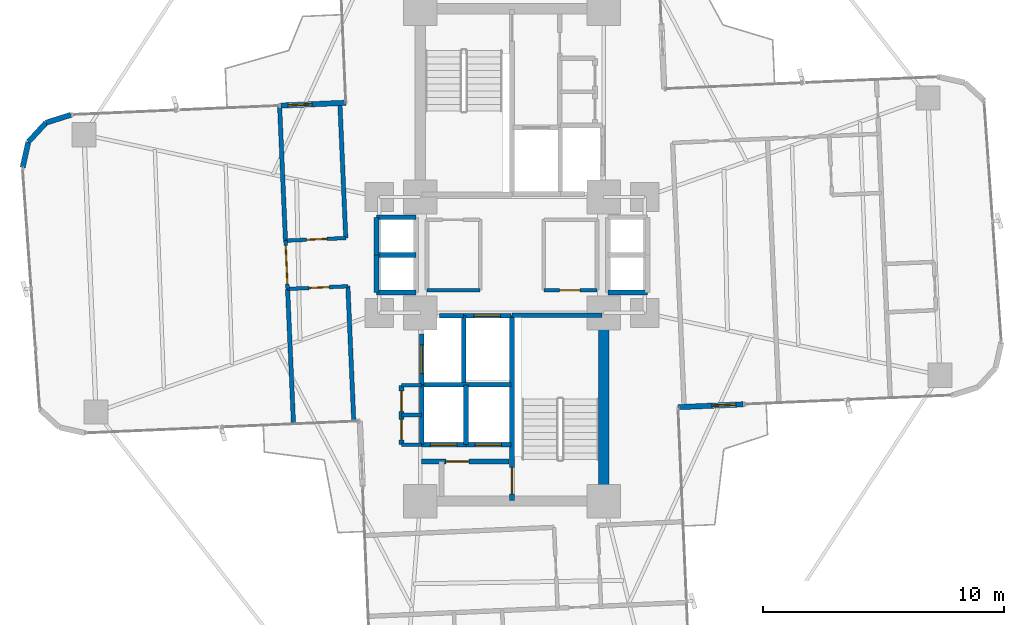
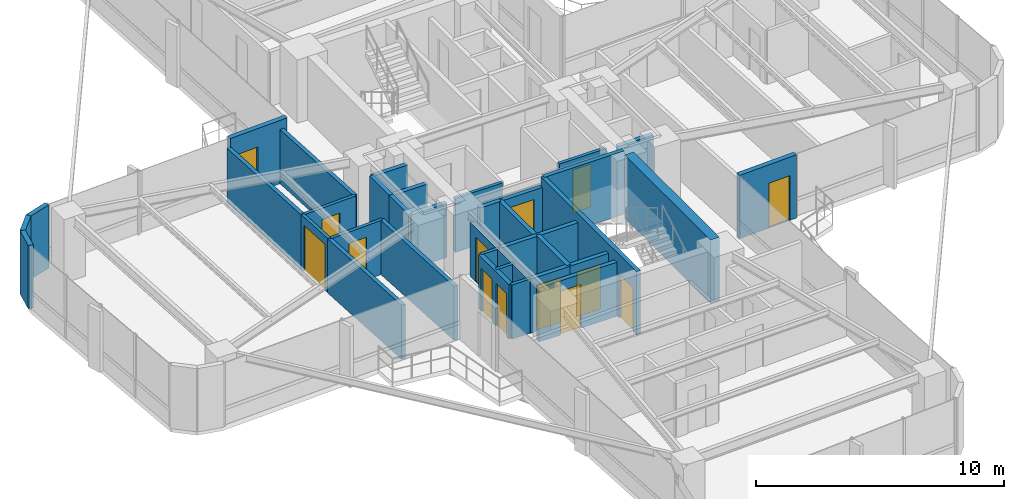
# One storey, part 23 of 26: 37 walls, 14 doors, 14 openings.
"""IFC4 building model written with IfcOpenShell, lengths in metres."""

from ifc_helpers import new_model, si_unit, direction, frame, frame_2d, origin, origin_2d, place, context, subcontext, project, spatial, rectangle, extrude, source, transform, mapped, material, layer, layer_set, type_object, element, fill, save


model = new_model("IFC4")

# Units and contexts
model_context = context("Model", 3, precision=1e-05, world=origin(), true_north=direction((0.0, 1.0)))
body_context = subcontext(model_context, "Body", "Model", "MODEL_VIEW")
ifc_project = project(units=[si_unit("LENGTHUNIT", "METRE"), si_unit("AREAUNIT", "SQUARE_METRE"), si_unit("VOLUMEUNIT", "CUBIC_METRE"), si_unit("PLANEANGLEUNIT", "RADIAN"), si_unit("MASSUNIT", "GRAM", prefix="KILO")], contexts=[model_context])

# Site, building, storey
site_placement = place(None, origin())
site = spatial("IfcSite", under=ifc_project, at=site_placement, CompositionType="ELEMENT")
building_placement = place(site_placement, origin())
building = spatial("IfcBuilding", under=site, at=building_placement, Name="Sahyath Konkavel Grand Hotel", CompositionType="ELEMENT")
storey_placement = place(building_placement, frame((0.0, 0.0, 118.14990234375)))
storey = spatial("IfcBuildingStorey", under=building, at=storey_placement, Name="L32", CompositionType="ELEMENT", Elevation=118.14990234375)

# Wall
ifc_material_1 = material(Name="Concrete C50/60", Category="concrete")
ifc_layer_1 = layer(ifc_material_1, 0.419921875)
ifc_layer_set_1 = layer_set([ifc_layer_1], Name="Concrete C50/60")
wall_type_1 = type_object("IfcWallType", Name="CWALL-420", PredefinedType="SHEAR", material=ifc_layer_set_1)
wall_1_placement = place(storey_placement, frame((3.800048828125, -9.75, 0.0), z_axis=(0.0, 0.0, 1.0), x_axis=(0.0, 1.0, 0.0)))
element("IfcWall", 1, at=wall_1_placement, inside=storey, type_object=wall_type_1, Name="L32 South Core Shear Wall E", PredefinedType="SHEAR", context=body_context, shape_type="SweptSolid", body=[
    extrude(rectangle(XDim=6.89990234375, YDim=0.419921875, at=frame_2d((3.449951171875, 0.0))), origin(), (0.0, 0.0, 1.0), 3.110107421875),
])

# Wall, opening, door
ifc_material_2 = material(Name="Warm Buff Sandstone Insulated Concrete C40/50", Category="masonry")
ifc_layer_2 = layer(ifc_material_2, 0.219970703125)
ifc_layer_set_2 = layer_set([ifc_layer_2], Name="Warm Buff Sandstone Insulated Concrete C40/50")
wall_type_2 = type_object("IfcWallType", Name="WLL-BALC-THRESH", PredefinedType="STANDARD", material=ifc_layer_set_2)
wall_2_placement = place(storey_placement, frame((6.881591796875, -6.305908203125, 0.0), z_axis=(0.0, 0.0, 1.0), x_axis=(0.999045894436, 0.043672655174, 0.0)))
wall_2 = element("IfcWall", 2, at=wall_2_placement, inside=storey, type_object=wall_type_2, Name="L32 Winter-Garden Threshold Wall 0", PredefinedType="STANDARD", context=body_context, shape_type="SweptSolid", body=[
    extrude(rectangle(XDim=2.7001953125, YDim=0.219970703125, at=frame_2d((1.35009765625, 0.0))), origin(), (0.0, 0.0, 1.0), 3.110107421875),
])
opening_1_placement = place(wall_2_placement, frame((1.39990234375, 0.0, 0.0)))
opening_1 = element("IfcOpeningElement", 3, at=opening_1_placement, cuts=wall_2, Name="Opening D-TR1", PredefinedType="OPENING", context=body_context, shape_type="SweptSolid", body=[
    extrude(rectangle(XDim=1.0, YDim=2.199951171875, at=frame_2d((0.5, 1.10009765625))), frame((0.0, 0.1201171875, 0.0), z_axis=(0.0, -1.0, 0.0), x_axis=(1.0, 0.0, 0.0)), (0.0, 0.0, 1.0), 0.239990234375),
])
ifc_material_3 = material(Name="Anodised Bronze Aluminium & Low-E Glazing", Category="aluminium")
door_type_1 = type_object("IfcDoorType", Name="DR-TERRACE-1000", OperationType="NOTDEFINED", PredefinedType="DOOR", material=ifc_material_3)
shared_shape_1 = source(origin(), body_context, "Body", "SweptSolid", [
    extrude(rectangle(XDim=1.0, YDim=0.050048828125, at=origin_2d()), origin(), (0.0, 0.0, 1.0), 2.199951171875),
])
door_1_placement = place(opening_1_placement, frame((0.5, 0.0, 0.0)))
door_1 = element("IfcDoor", 4, at=door_1_placement, inside=storey, type_object=door_type_1, Name="L32 Winter-Garden Terrace Door 0", OperationType="SINGLE_SWING_LEFT", OverallHeight=2.199951171875, OverallWidth=1.0, PredefinedType="DOOR", context=body_context, shape_type="MappedRepresentation", body=[
    mapped(shared_shape_1, transform((0.0, 0.0, 0.0), scale=1.0)),
])
fill(opening_1, door_1)

wall_3_placement = place(storey_placement, frame((-6.881591796875, 6.305908203125, 0.0), z_axis=(0.0, 0.0, 1.0), x_axis=(-0.999045894436, -0.043672655174, 0.0)))
wall_3 = element("IfcWall", 5, at=wall_3_placement, inside=storey, type_object=wall_type_2, Name="L32 Winter-Garden Threshold Wall 16", PredefinedType="STANDARD", context=body_context, shape_type="SweptSolid", body=[
    extrude(rectangle(XDim=2.7001953125, YDim=0.219970703125, at=frame_2d((1.35009765625, 0.0))), origin(), (0.0, 0.0, 1.0), 3.110107421875),
])
opening_2_placement = place(wall_3_placement, frame((1.39990234375, 0.0, 0.0)))
opening_2 = element("IfcOpeningElement", 6, at=opening_2_placement, cuts=wall_3, Name="Opening D-TR1", PredefinedType="OPENING", context=body_context, shape_type="SweptSolid", body=[
    extrude(rectangle(XDim=1.0, YDim=2.199951171875, at=frame_2d((0.5, 1.10009765625))), frame((0.0, 0.1201171875, 0.0), z_axis=(0.0, -1.0, 0.0), x_axis=(1.0, 0.0, 0.0)), (0.0, 0.0, 1.0), 0.239990234375),
])
door_2_placement = place(opening_2_placement, frame((0.5, 0.0, 0.0)))
door_2 = element("IfcDoor", 7, at=door_2_placement, inside=storey, type_object=door_type_1, Name="L32 Winter-Garden Terrace Door 16", OperationType="SINGLE_SWING_LEFT", OverallHeight=2.199951171875, OverallWidth=1.0, PredefinedType="DOOR", context=body_context, shape_type="MappedRepresentation", body=[
    mapped(shared_shape_1, transform((0.0, 0.0, 0.0), scale=1.0)),
])
fill(opening_2, door_2)

# Walls
for number, where, z_axis, x_axis, name in (
    (8, (-18.270751953125, 5.80859375, 0.0), (0.0, 0.0, 1.0), (-0.953721713582, -0.30069069331, 0.0), "L32 Rounded Corner Sandstone Pier 17"),
    (9, (-19.3076171875, 5.481689453125, 0.0), (0.0, 0.0, 1.0), (-0.675551721847, -0.737312600672, 0.0), "L32 Rounded Corner Sandstone Pier 18"),
):
    element("IfcWall", number, at=place(storey_placement, frame(where, z_axis=z_axis, x_axis=x_axis)), inside=storey, type_object=wall_type_2, Name=name, PredefinedType="STANDARD", context=body_context, shape_type="SweptSolid", body=[
        extrude(rectangle(XDim=1.087158203125, YDim=0.219970703125, at=frame_2d((0.54345703125, 0.0))), origin(), (0.0, 0.0, 1.0), 3.110107421875),
    ])
wall_4_placement = place(storey_placement, frame((-20.0419921875, 4.68017578125, 0.0), z_axis=(0.0, 0.0, 1.0), x_axis=(-0.216288323511, -0.976329535102, 0.0)))
element("IfcWall", 10, at=wall_4_placement, inside=storey, type_object=wall_type_2, Name="L32 Rounded Corner Sandstone Pier 19", PredefinedType="STANDARD", context=body_context, shape_type="SweptSolid", body=[
    extrude(rectangle(XDim=1.0869140625, YDim=0.219970703125, at=frame_2d((0.54345703125, 0.0))), origin(), (0.0, 0.0, 1.0), 3.110107421875),
])

# Wall, opening, door
ifc_material_4 = material(Name="Concrete C40/50", Category="concrete")
ifc_layer_3 = layer(ifc_material_4, 0.199951171875)
ifc_layer_set_3 = layer_set([ifc_layer_3], Name="Concrete C40/50")
wall_type_3 = type_object("IfcWallType", Name="WLL-CORE-200", PredefinedType="SOLIDWALL", material=ifc_layer_set_3)
wall_5_placement = place(storey_placement, frame((0.0, -10.179931640625, 0.0), z_axis=(0.0, 0.0, 1.0), x_axis=(0.0, 1.0, 0.0)))
wall_5 = element("IfcWall", 11, at=wall_5_placement, inside=storey, type_object=wall_type_3, Name="L32 Stair ST-2 Shaft Wall W", PredefinedType="SOLIDWALL", context=body_context, shape_type="SweptSolid", body=[
    extrude(rectangle(XDim=7.679931640625, YDim=0.199951171875, at=frame_2d((3.83984375, 0.0))), origin(), (0.0, 0.0, 1.0), 3.110107421875),
])
opening_3_placement = place(wall_5_placement, frame((0.280029296875, 0.0, 0.0)))
opening_3 = element("IfcOpeningElement", 12, at=opening_3_placement, cuts=wall_5, Name="Opening D-F12B", PredefinedType="OPENING", context=body_context, shape_type="SweptSolid", body=[
    extrude(rectangle(XDim=1.10009765625, YDim=2.14990234375, at=frame_2d((0.550048828125, 1.074951171875))), frame((0.0, 0.10986328125, 0.0), z_axis=(0.0, -1.0, 0.0), x_axis=(1.0, 0.0, 0.0)), (0.0, 0.0, 1.0), 0.219970703125),
])
ifc_material_5 = material(Name="Steel E350 Smokeproof Fire Door", Category="steel")
door_type_2 = type_object("IfcDoorType", Name="DR-FD120-1100", OperationType="NOTDEFINED", PredefinedType="DOOR", material=ifc_material_5)
shared_shape_2 = source(origin(), body_context, "Body", "SweptSolid", [
    extrude(rectangle(XDim=1.10009765625, YDim=0.050048828125, at=origin_2d()), origin(), (0.0, 0.0, 1.0), 2.14990234375),
])
door_3_placement = place(opening_3_placement, frame((0.550048828125, 0.0, 0.0)))
door_3 = element("IfcDoor", 13, at=door_3_placement, inside=storey, type_object=door_type_2, Name="L32 Stair ST-2 Fire Door", OperationType="SINGLE_SWING_LEFT", OverallHeight=2.14990234375, OverallWidth=1.10009765625, PredefinedType="DOOR", context=body_context, shape_type="MappedRepresentation", body=[
    mapped(shared_shape_2, transform((0.0, 0.0, 0.0), scale=1.0)),
])
fill(opening_3, door_3)

# Walls
wall_6_placement = place(storey_placement, frame((0.0, -2.5, 0.0), z_axis=(0.0, 0.0, 1.0), x_axis=(1.0, 0.0, 0.0)))
element("IfcWall", 14, at=wall_6_placement, inside=storey, type_object=wall_type_3, Name="L32 Stair ST-2 Shaft Wall N", PredefinedType="SOLIDWALL", context=body_context, shape_type="SweptSolid", body=[
    extrude(rectangle(XDim=3.719970703125, YDim=0.199951171875, at=frame_2d((1.85986328125, 0.0))), origin(), (0.0, 0.0, 1.0), 3.110107421875),
])
wall_7_placement = place(storey_placement, frame((-2.0, -5.280029296875, 0.0), z_axis=(0.0, 0.0, 1.0), x_axis=(0.0, 1.0, 0.0)))
element("IfcWall", 15, at=wall_7_placement, inside=storey, type_object=wall_type_3, Name="L32 Partition SH-FFL2-W", PredefinedType="SOLIDWALL", context=body_context, shape_type="SweptSolid", body=[
    extrude(rectangle(XDim=2.780029296875, YDim=0.199951171875, at=frame_2d((1.39013671875, 0.0))), origin(), (0.0, 0.0, 1.0), 2.66015625),
])

# Wall, opening, door
wall_8_placement = place(storey_placement, frame((-2.0, -2.52001953125, 0.0), z_axis=(0.0, 0.0, 1.0), x_axis=(1.0, 0.0, 0.0)))
wall_8 = element("IfcWall", 16, at=wall_8_placement, inside=storey, type_object=wall_type_3, Name="L32 Partition SH-FFL2-N", PredefinedType="SOLIDWALL", context=body_context, shape_type="SweptSolid", body=[
    extrude(rectangle(XDim=1.949951171875, YDim=0.199951171875, at=frame_2d((0.97509765625, 0.0))), origin(), (0.0, 0.0, 1.0), 2.66015625),
])
opening_4_placement = place(wall_8_placement, frame((0.419921875, 0.0, 0.0)))
opening_4 = element("IfcOpeningElement", 17, at=opening_4_placement, cuts=wall_8, Name="Opening LD-11", PredefinedType="OPENING", context=body_context, shape_type="SweptSolid", body=[
    extrude(rectangle(XDim=1.10009765625, YDim=2.199951171875, at=frame_2d((0.550048828125, 1.10009765625))), frame((0.0, 0.10986328125, 0.0), z_axis=(0.0, -1.0, 0.0), x_axis=(1.0, 0.0, 0.0)), (0.0, 0.0, 1.0), 0.219970703125),
])
ifc_material_6 = material(Name="Bronze Lift Landing Door 1100")
door_type_3 = type_object("IfcDoorType", Name="DR-LIFT-1100", OperationType="DOUBLE_DOOR_SLIDING", PredefinedType="DOOR", material=ifc_material_6)
shared_shape_3 = source(origin(), body_context, "Body", "SweptSolid", [
    extrude(rectangle(XDim=1.10009765625, YDim=0.050048828125, at=origin_2d()), origin(), (0.0, 0.0, 1.0), 2.199951171875),
])
door_4_placement = place(opening_4_placement, frame((0.550048828125, 0.0, 0.0)))
door_4 = element("IfcDoor", 18, at=door_4_placement, inside=storey, type_object=door_type_3, Name="L32 Lift FFL-2 Landing Door", OperationType="DOUBLE_DOOR_SLIDING", OverallHeight=2.199951171875, OverallWidth=1.10009765625, PredefinedType="DOOR", context=body_context, shape_type="MappedRepresentation", body=[
    mapped(shared_shape_3, transform((0.0, 0.0, 0.0), scale=1.0)),
])
fill(opening_4, door_4)

# Wall
wall_9_placement = place(storey_placement, frame((-3.0, -2.52001953125, 0.0), z_axis=(0.0, 0.0, 1.0), x_axis=(1.0, 0.0, 0.0)))
element("IfcWall", 19, at=wall_9_placement, inside=storey, type_object=wall_type_3, Name="L32 Partition SH-SVL2-N", PredefinedType="SOLIDWALL", context=body_context, shape_type="SweptSolid", body=[
    extrude(rectangle(XDim=1.0, YDim=0.199951171875, at=frame_2d((0.5, 0.0))), origin(), (0.0, 0.0, 1.0), 2.66015625),
])

# Wall, opening, door
wall_10_placement = place(storey_placement, frame((-3.739990234375, -5.360107421875, 0.0), z_axis=(0.0, 0.0, 1.0), x_axis=(0.0, 1.0, 0.0)))
wall_10 = element("IfcWall", 20, at=wall_10_placement, inside=storey, type_object=wall_type_3, Name="L32 Partition SH-SVL2-W", PredefinedType="SOLIDWALL", context=body_context, shape_type="SweptSolid", body=[
    extrude(rectangle(XDim=2.080078125, YDim=0.199951171875, at=frame_2d((1.0400390625, 0.0))), origin(), (0.0, 0.0, 1.0), 2.66015625),
])
opening_5_placement = place(wall_10_placement, frame((0.43994140625, 0.0, 0.0)))
opening_5 = element("IfcOpeningElement", 21, at=opening_5_placement, cuts=wall_10, Name="Opening LD-12", PredefinedType="OPENING", context=body_context, shape_type="SweptSolid", body=[
    extrude(rectangle(XDim=1.199951171875, YDim=2.199951171875, at=frame_2d((0.60009765625, 1.10009765625))), frame((0.0, 0.10986328125, 0.0), z_axis=(0.0, -1.0, 0.0), x_axis=(1.0, 0.0, 0.0)), (0.0, 0.0, 1.0), 0.219970703125),
])
ifc_material_7 = material(Name="Stainless Steel Lift Landing Door 1200", Category="steel")
door_type_4 = type_object("IfcDoorType", Name="DR-LIFT-1200", OperationType="DOUBLE_DOOR_SLIDING", PredefinedType="DOOR", material=ifc_material_7)
shared_shape_4 = source(origin(), body_context, "Body", "SweptSolid", [
    extrude(rectangle(XDim=1.199951171875, YDim=0.050048828125, at=origin_2d()), origin(), (0.0, 0.0, 1.0), 2.199951171875),
])
door_5_placement = place(opening_5_placement, frame((0.60009765625, 0.0, 0.0)))
door_5 = element("IfcDoor", 22, at=door_5_placement, inside=storey, type_object=door_type_4, Name="L32 Service Lift SVL-2 Landing Door", OperationType="DOUBLE_DOOR_SLIDING", OverallHeight=2.199951171875, OverallWidth=1.199951171875, PredefinedType="DOOR", context=body_context, shape_type="MappedRepresentation", body=[
    mapped(shared_shape_4, transform((0.0, 0.0, 0.0), scale=1.0)),
])
fill(opening_5, door_5)

# Wall
wall_11_placement = place(storey_placement, frame((-3.739990234375, -7.860107421875, 0.0), z_axis=(0.0, 0.0, 1.0), x_axis=(0.0, 1.0, 0.0)))
element("IfcWall", 23, at=wall_11_placement, inside=storey, type_object=wall_type_3, Name="L32 Partition SH-PL3-W", PredefinedType="SOLIDWALL", context=body_context, shape_type="SweptSolid", body=[
    extrude(rectangle(XDim=2.480224609375, YDim=0.199951171875, at=frame_2d((1.240234375, 0.0))), origin(), (0.0, 0.0, 1.0), 2.66015625),
])

# Wall, opening, door
wall_12_placement = place(storey_placement, frame((-3.739990234375, -7.860107421875, 0.0), z_axis=(0.0, 0.0, 1.0), x_axis=(1.0, 0.0, 0.0)))
wall_12 = element("IfcWall", 24, at=wall_12_placement, inside=storey, type_object=wall_type_3, Name="L32 Partition SH-PL3-S", PredefinedType="SOLIDWALL", context=body_context, shape_type="SweptSolid", body=[
    extrude(rectangle(XDim=1.840087890625, YDim=0.199951171875, at=frame_2d((0.919921875, 0.0))), origin(), (0.0, 0.0, 1.0), 2.66015625),
])
opening_6_placement = place(wall_12_placement, frame((0.360107421875, 0.0, 0.0)))
opening_6 = element("IfcOpeningElement", 25, at=opening_6_placement, cuts=wall_12, Name="Opening LD-11", PredefinedType="OPENING", context=body_context, shape_type="SweptSolid", body=[
    extrude(rectangle(XDim=1.10009765625, YDim=2.199951171875, at=frame_2d((0.550048828125, 1.10009765625))), frame((0.0, 0.10986328125, 0.0), z_axis=(0.0, -1.0, 0.0), x_axis=(1.0, 0.0, 0.0)), (0.0, 0.0, 1.0), 0.219970703125),
])
door_6_placement = place(opening_6_placement, frame((0.550048828125, 0.0, 0.0)))
door_6 = element("IfcDoor", 26, at=door_6_placement, inside=storey, type_object=door_type_3, Name="L32 Passenger Lift PL-3 Landing Door", OperationType="DOUBLE_DOOR_SLIDING", OverallHeight=2.199951171875, OverallWidth=1.10009765625, PredefinedType="DOOR", context=body_context, shape_type="MappedRepresentation", body=[
    mapped(shared_shape_3, transform((0.0, 0.0, 0.0), scale=1.0)),
])
fill(opening_6, door_6)

# Walls
wall_13_placement = place(storey_placement, frame((-3.739990234375, -5.3798828125, 0.0), z_axis=(0.0, 0.0, 1.0), x_axis=(1.0, 0.0, 0.0)))
element("IfcWall", 27, at=wall_13_placement, inside=storey, type_object=wall_type_3, Name="L32 Partition SH-PL34-N", PredefinedType="SOLIDWALL", context=body_context, shape_type="SweptSolid", body=[
    extrude(rectangle(XDim=3.68994140625, YDim=0.199951171875, at=frame_2d((1.844970703125, 0.0))), origin(), (0.0, 0.0, 1.0), 2.66015625),
])
wall_14_placement = place(storey_placement, frame((-1.89990234375, -7.860107421875, 0.0), z_axis=(0.0, 0.0, 1.0), x_axis=(0.0, 1.0, 0.0)))
element("IfcWall", 28, at=wall_14_placement, inside=storey, type_object=wall_type_3, Name="L32 Partition SH-PL34-M", PredefinedType="SOLIDWALL", context=body_context, shape_type="SweptSolid", body=[
    extrude(rectangle(XDim=2.480224609375, YDim=0.199951171875, at=frame_2d((1.240234375, 0.0))), origin(), (0.0, 0.0, 1.0), 2.66015625),
])

# Wall, opening, door
wall_15_placement = place(storey_placement, frame((-1.89990234375, -7.860107421875, 0.0), z_axis=(0.0, 0.0, 1.0), x_axis=(1.0, 0.0, 0.0)))
wall_15 = element("IfcWall", 29, at=wall_15_placement, inside=storey, type_object=wall_type_3, Name="L32 Partition SH-PL4-S", PredefinedType="SOLIDWALL", context=body_context, shape_type="SweptSolid", body=[
    extrude(rectangle(XDim=1.849853515625, YDim=0.199951171875, at=frame_2d((0.9248046875, 0.0))), origin(), (0.0, 0.0, 1.0), 2.66015625),
])
opening_7_placement = place(wall_15_placement, frame((0.360107421875, 0.0, 0.0)))
opening_7 = element("IfcOpeningElement", 30, at=opening_7_placement, cuts=wall_15, Name="Opening LD-11", PredefinedType="OPENING", context=body_context, shape_type="SweptSolid", body=[
    extrude(rectangle(XDim=1.10009765625, YDim=2.199951171875, at=frame_2d((0.550048828125, 1.10009765625))), frame((0.0, 0.10986328125, 0.0), z_axis=(0.0, -1.0, 0.0), x_axis=(1.0, 0.0, 0.0)), (0.0, 0.0, 1.0), 0.219970703125),
])
door_7_placement = place(opening_7_placement, frame((0.550048828125, 0.0, 0.0)))
door_7 = element("IfcDoor", 31, at=door_7_placement, inside=storey, type_object=door_type_3, Name="L32 Passenger Lift PL-4 Landing Door", OperationType="DOUBLE_DOOR_SLIDING", OverallHeight=2.199951171875, OverallWidth=1.10009765625, PredefinedType="DOOR", context=body_context, shape_type="MappedRepresentation", body=[
    mapped(shared_shape_3, transform((0.0, 0.0, 0.0), scale=1.0)),
])
fill(opening_7, door_7)

# Walls
for number, where, z_axis, x_axis, name in (
    (32, (3.97998046875, -1.56005859375, 0.0), (0.0, 0.0, 1.0), (1.0, 0.0, 0.0), "L32 Partition SH-PL56-S"),
    (33, (-5.6201171875, 1.56005859375, 0.0), (0.0, 0.0, 1.0), (1.0, 0.0, 0.0), "L32 Partition SH-SL12-N"),
    (34, (-5.6201171875, -1.56005859375, 0.0), (0.0, 0.0, 1.0), (1.0, 0.0, 0.0), "L32 Partition SH-SL12-S"),
    (35, (-5.6201171875, 0.0, 0.0), (0.0, 0.0, 1.0), (1.0, 0.0, 0.0), "L32 Partition SH-SL12-M"),
):
    element("IfcWall", number, at=place(storey_placement, frame(where, z_axis=z_axis, x_axis=x_axis)), inside=storey, type_object=wall_type_3, Name=name, PredefinedType="SOLIDWALL", context=body_context, shape_type="SweptSolid", body=[
        extrude(rectangle(XDim=1.64013671875, YDim=0.199951171875, at=frame_2d((0.820068359375, 0.0))), origin(), (0.0, 0.0, 1.0), 2.66015625),
    ])
for number, where, z_axis, x_axis, name in (
    (36, (-5.6201171875, 0.0, 0.0), (0.0, 0.0, 1.0), (0.0, 1.0, 0.0), "L32 Partition SH-SL1-W"),
    (37, (-5.6201171875, -1.56005859375, 0.0), (0.0, 0.0, 1.0), (0.0, 1.0, 0.0), "L32 Partition SH-SL2-W"),
):
    element("IfcWall", number, at=place(storey_placement, frame(where, z_axis=z_axis, x_axis=x_axis)), inside=storey, type_object=wall_type_3, Name=name, PredefinedType="SOLIDWALL", context=body_context, shape_type="SweptSolid", body=[
        extrude(rectangle(XDim=1.56005859375, YDim=0.199951171875, at=frame_2d((0.780029296875, 0.0))), origin(), (0.0, 0.0, 1.0), 2.66015625),
    ])

# Wall, opening, door
wall_16_placement = place(storey_placement, frame((-3.739990234375, -8.56005859375, 0.0), z_axis=(0.0, 0.0, 1.0), x_axis=(1.0, 0.0, 0.0)))
wall_16 = element("IfcWall", 38, at=wall_16_placement, inside=storey, type_object=wall_type_3, Name="L32 South FF Lobby Separation Wall", PredefinedType="SOLIDWALL", context=body_context, shape_type="SweptSolid", body=[
    extrude(rectangle(XDim=3.619873046875, YDim=0.199951171875, at=frame_2d((1.81005859375, 0.0))), origin(), (0.0, 0.0, 1.0), 2.66015625),
])
opening_8_placement = place(wall_16_placement, frame((1.0, 0.0, 0.0)))
opening_8 = element("IfcOpeningElement", 39, at=opening_8_placement, cuts=wall_16, Name="Opening D-F12C", PredefinedType="OPENING", context=body_context, shape_type="SweptSolid", body=[
    extrude(rectangle(XDim=0.949951171875, YDim=2.14990234375, at=frame_2d((0.47509765625, 1.074951171875))), frame((0.0, 0.10986328125, 0.0), z_axis=(0.0, -1.0, 0.0), x_axis=(1.0, 0.0, 0.0)), (0.0, 0.0, 1.0), 0.219970703125),
])
ifc_material_8 = material(Name="Steel E350 Plant Fire Door", Category="steel")
door_type_5 = type_object("IfcDoorType", Name="DR-FD120-950", OperationType="NOTDEFINED", PredefinedType="DOOR", material=ifc_material_8)
shared_shape_5 = source(origin(), body_context, "Body", "SweptSolid", [
    extrude(rectangle(XDim=0.949951171875, YDim=0.050048828125, at=origin_2d()), origin(), (0.0, 0.0, 1.0), 2.14990234375),
])
door_8_placement = place(opening_8_placement, frame((0.47509765625, 0.0, 0.0)))
door_8 = element("IfcDoor", 40, at=door_8_placement, inside=storey, type_object=door_type_5, Name="L32 South Firefighting Lobby Door", OperationType="SINGLE_SWING_RIGHT", OverallHeight=2.14990234375, OverallWidth=0.949951171875, PredefinedType="DOOR", context=body_context, shape_type="MappedRepresentation", body=[
    mapped(shared_shape_5, transform((0.0, 0.0, 0.0), scale=1.0)),
])
fill(opening_8, door_8)

# Wall, openings, doors
wall_17_placement = place(storey_placement, frame((-4.580078125, -7.860107421875, 0.0), z_axis=(0.0, 0.0, 1.0), x_axis=(0.0, 1.0, 0.0)))
wall_17 = element("IfcWall", 41, at=wall_17_placement, inside=storey, type_object=wall_type_3, Name="L32 Partition SC-FLK-W", PredefinedType="SOLIDWALL", context=body_context, shape_type="SweptSolid", body=[
    extrude(rectangle(XDim=2.460205078125, YDim=0.199951171875, at=frame_2d((1.22998046875, 0.0))), origin(), (0.0, 0.0, 1.0), 2.66015625),
])
opening_9_placement = place(wall_17_placement, frame((0.199951171875, 0.0, 0.0)))
opening_9 = element("IfcOpeningElement", 42, at=opening_9_placement, cuts=wall_17, Name="Opening D-F06D", PredefinedType="OPENING", context=body_context, shape_type="SweptSolid", body=[
    extrude(rectangle(XDim=0.85009765625, YDim=2.10009765625, at=frame_2d((0.425048828125, 1.050048828125))), frame((0.0, 0.10986328125, 0.0), z_axis=(0.0, -1.0, 0.0), x_axis=(1.0, 0.0, 0.0)), (0.0, 0.0, 1.0), 0.219970703125),
])
opening_10_placement = place(wall_17_placement, frame((1.3798828125, 0.0, 0.0)))
opening_10 = element("IfcOpeningElement", 43, at=opening_10_placement, cuts=wall_17, Name="Opening D-F06D", PredefinedType="OPENING", context=body_context, shape_type="SweptSolid", body=[
    extrude(rectangle(XDim=0.85009765625, YDim=2.10009765625, at=frame_2d((0.425048828125, 1.050048828125))), frame((0.0, 0.10986328125, 0.0), z_axis=(0.0, -1.0, 0.0), x_axis=(1.0, 0.0, 0.0)), (0.0, 0.0, 1.0), 0.219970703125),
])
ifc_material_9 = material(Name="Fire-Rated Shaft Access Door")
door_type_6 = type_object("IfcDoorType", Name="DR-FD60-850", OperationType="NOTDEFINED", PredefinedType="DOOR", material=ifc_material_9)
shared_shape_6 = source(origin(), body_context, "Body", "SweptSolid", [
    extrude(rectangle(XDim=0.85009765625, YDim=0.050048828125, at=origin_2d()), origin(), (0.0, 0.0, 1.0), 2.10009765625),
])
door_9_placement = place(opening_9_placement, frame((0.425048828125, 0.0, 0.0)))
door_9 = element("IfcDoor", 44, at=door_9_placement, inside=storey, type_object=door_type_6, Name="L32 Door SC-FLK1-D", OperationType="SINGLE_SWING_LEFT", OverallHeight=2.10009765625, OverallWidth=0.85009765625, PredefinedType="DOOR", context=body_context, shape_type="MappedRepresentation", body=[
    mapped(shared_shape_6, transform((0.0, 0.0, 0.0), scale=1.0)),
])
fill(opening_9, door_9)
door_10_placement = place(opening_10_placement, frame((0.425048828125, 0.0, 0.0)))
door_10 = element("IfcDoor", 45, at=door_10_placement, inside=storey, type_object=door_type_6, Name="L32 Door SC-FLK2-D", OperationType="SINGLE_SWING_RIGHT", OverallHeight=2.10009765625, OverallWidth=0.85009765625, PredefinedType="DOOR", context=body_context, shape_type="MappedRepresentation", body=[
    mapped(shared_shape_6, transform((0.0, 0.0, 0.0), scale=1.0)),
])
fill(opening_10, door_10)

# Walls
ifc_material_10 = material(Name="Twin-Stud Acoustic Gypsum Plasterboard Partition")
ifc_layer_4 = layer(ifc_material_10, 0.179931640625)
ifc_layer_set_4 = layer_set([ifc_layer_4], Name="Twin-Stud Acoustic Gypsum Plasterboard Partition")
wall_type_4 = type_object("IfcWallType", Name="WLL-DEMISE-180", PredefinedType="PARTITIONING", material=ifc_layer_set_4)
wall_18_placement = place(storey_placement, frame((-6.7998046875, -1.2978515625, 0.0), z_axis=(0.0, 0.0, 1.0), x_axis=(0.04359376056, -0.999049340143, 0.0)))
element("IfcWall", 46, at=wall_18_placement, inside=storey, type_object=wall_type_4, Name="L32 Partition W-I0L", PredefinedType="PARTITIONING", context=body_context, shape_type="SweptSolid", body=[
    extrude(rectangle(XDim=5.550048828125, YDim=0.179931640625, at=frame_2d((2.77490234375, 0.0))), origin(), (0.0, 0.0, 1.0), 2.66015625),
])
wall_19_placement = place(storey_placement, frame((-7.129150390625, 6.2451171875, 0.0), z_axis=(0.0, 0.0, 1.0), x_axis=(0.043591844792, -0.999049423736, 0.0)))
element("IfcWall", 47, at=wall_19_placement, inside=storey, type_object=wall_type_4, Name="L32 Partition W-I0R", PredefinedType="PARTITIONING", context=body_context, shape_type="SweptSolid", body=[
    extrude(rectangle(XDim=5.55029296875, YDim=0.179931640625, at=frame_2d((2.775146484375, 0.0))), origin(), (0.0, 0.0, 1.0), 2.66015625),
])
for number, where, z_axis, x_axis, name in (
    (48, (-9.384765625, 0.59130859375, 0.0), (0.0, 0.0, 1.0), (-0.04359376056, 0.999049340143, 0.0), "L32 Partition W-WHK0-DEM"),
    (49, (-9.297607421875, -1.406982421875, 0.0), (0.0, 0.0, 1.0), (0.043637666503, -0.99904742333, 0.0), "L32 Partition W-WST0-DEM"),
):
    element("IfcWall", number, at=place(storey_placement, frame(where, z_axis=z_axis, x_axis=x_axis)), inside=storey, type_object=wall_type_4, Name=name, PredefinedType="PARTITIONING", context=body_context, shape_type="SweptSolid", body=[
        extrude(rectangle(XDim=5.550048828125, YDim=0.179931640625, at=frame_2d((2.77490234375, 0.0))), origin(), (0.0, 0.0, 1.0), 2.66015625),
    ])
ifc_material_11 = material(Name="Fire-Rated Gypsum Plasterboard Partition")
ifc_layer_5 = layer(ifc_material_11, 0.14990234375)
ifc_layer_set_5 = layer_set([ifc_layer_5], Name="Fire-Rated Gypsum Plasterboard Partition")
wall_type_5 = type_object("IfcWallType", Name="WLL-PART-150", PredefinedType="PARTITIONING", material=ifc_layer_set_5)
for number, where, z_axis, x_axis, name in (
    (50, (-4.580078125, -5.39990234375, 0.0), (0.0, 0.0, 1.0), (1.0, 0.0, 0.0), "L32 Partition SC-FLK-N"),
    (51, (-4.580078125, -7.860107421875, 0.0), (0.0, 0.0, 1.0), (1.0, 0.0, 0.0), "L32 Partition SC-FLK-S"),
    (52, (-4.580078125, -6.6298828125, 0.0), (0.0, 0.0, 1.0), (1.0, 0.0, 0.0), "L32 Partition SC-FLK-M"),
):
    element("IfcWall", number, at=place(storey_placement, frame(where, z_axis=z_axis, x_axis=x_axis)), inside=storey, type_object=wall_type_5, Name=name, PredefinedType="PARTITIONING", context=body_context, shape_type="SweptSolid", body=[
        extrude(rectangle(XDim=0.840087890625, YDim=0.14990234375, at=frame_2d((0.419921875, 0.0))), origin(), (0.0, 0.0, 1.0), 2.66015625),
    ])
wall_20_placement = place(storey_placement, frame((-3.52001953125, -1.4599609375, 0.0), z_axis=(0.0, 0.0, 1.0), x_axis=(1.0, 0.0, 0.0)))
element("IfcWall", 53, at=wall_20_placement, inside=storey, type_object=wall_type_5, Name="L32 Partition CC-1WS", PredefinedType="PARTITIONING", context=body_context, shape_type="SweptSolid", body=[
    extrude(rectangle(XDim=2.199951171875, YDim=0.14990234375, at=frame_2d((1.10009765625, 0.0))), origin(), (0.0, 0.0, 1.0), 2.66015625),
])

# Wall, opening, door
wall_21_placement = place(storey_placement, frame((1.320068359375, -1.4599609375, 0.0), z_axis=(0.0, 0.0, 1.0), x_axis=(1.0, 0.0, 0.0)))
wall_21 = element("IfcWall", 54, at=wall_21_placement, inside=storey, type_object=wall_type_5, Name="L32 Partition CC-1ES", PredefinedType="PARTITIONING", context=body_context, shape_type="SweptSolid", body=[
    extrude(rectangle(XDim=2.199951171875, YDim=0.14990234375, at=frame_2d((1.10009765625, 0.0))), origin(), (0.0, 0.0, 1.0), 2.66015625),
])
opening_11_placement = place(wall_21_placement, frame((0.64990234375, 0.0, 0.0)))
opening_11 = element("IfcOpeningElement", 55, at=opening_11_placement, cuts=wall_21, Name="Opening D-F06D", PredefinedType="OPENING", context=body_context, shape_type="SweptSolid", body=[
    extrude(rectangle(XDim=0.85009765625, YDim=2.10009765625, at=frame_2d((0.425048828125, 1.050048828125))), frame((0.0, 0.0849609375, 0.0), z_axis=(0.0, -1.0, 0.0), x_axis=(1.0, 0.0, 0.0)), (0.0, 0.0, 1.0), 0.169921875),
])
door_11_placement = place(opening_11_placement, frame((0.425048828125, 0.0, 0.0)))
door_11 = element("IfcDoor", 56, at=door_11_placement, inside=storey, type_object=door_type_6, Name="L32 Door CC-D1E", OperationType="SINGLE_SWING_RIGHT", OverallHeight=2.10009765625, OverallWidth=0.85009765625, PredefinedType="DOOR", context=body_context, shape_type="MappedRepresentation", body=[
    mapped(shared_shape_6, transform((0.0, 0.0, 0.0), scale=1.0)),
])
fill(opening_11, door_11)

wall_22_placement = place(storey_placement, frame((-6.7998046875, -1.2978515625, 0.0), z_axis=(0.0, 0.0, 1.0), x_axis=(-0.999046923717, -0.043649103206, 0.0)))
wall_22 = element("IfcWall", 57, at=wall_22_placement, inside=storey, type_object=wall_type_5, Name="L32 Partition W-C0L", PredefinedType="PARTITIONING", context=body_context, shape_type="SweptSolid", body=[
    extrude(rectangle(XDim=2.500244140625, YDim=0.14990234375, at=frame_2d((1.25, 0.0))), origin(), (0.0, 0.0, 1.0), 2.66015625),
])
opening_12_placement = place(wall_22_placement, frame((0.77490234375, 0.0, 0.0)))
opening_12 = element("IfcOpeningElement", 58, at=opening_12_placement, cuts=wall_22, Name="Opening D-F06D", PredefinedType="OPENING", context=body_context, shape_type="SweptSolid", body=[
    extrude(rectangle(XDim=0.85009765625, YDim=2.10009765625, at=frame_2d((0.425048828125, 1.050048828125))), frame((0.0, 0.0849609375, 0.0), z_axis=(0.0, -1.0, 0.0), x_axis=(1.0, 0.0, 0.0)), (0.0, 0.0, 1.0), 0.169921875),
])
door_12_placement = place(opening_12_placement, frame((0.425048828125, 0.0, 0.0)))
door_12 = element("IfcDoor", 59, at=door_12_placement, inside=storey, type_object=door_type_6, Name="L32 Door W-WST0-D", OperationType="SINGLE_SWING_RIGHT", OverallHeight=2.10009765625, OverallWidth=0.85009765625, PredefinedType="DOOR", context=body_context, shape_type="MappedRepresentation", body=[
    mapped(shared_shape_6, transform((0.0, 0.0, 0.0), scale=1.0)),
])
fill(opening_12, door_12)

wall_23_placement = place(storey_placement, frame((-6.88720703125, 0.7001953125, 0.0), z_axis=(0.0, 0.0, 1.0), x_axis=(-0.999050991967, -0.043555888799, 0.0)))
wall_23 = element("IfcWall", 60, at=wall_23_placement, inside=storey, type_object=wall_type_5, Name="L32 Partition W-C0R", PredefinedType="PARTITIONING", context=body_context, shape_type="SweptSolid", body=[
    extrude(rectangle(XDim=2.5, YDim=0.14990234375, at=frame_2d((1.25, 0.0))), origin(), (0.0, 0.0, 1.0), 2.66015625),
])
opening_13_placement = place(wall_23_placement, frame((0.77490234375, 0.0, 0.0)))
opening_13 = element("IfcOpeningElement", 61, at=opening_13_placement, cuts=wall_23, Name="Opening D-F06D", PredefinedType="OPENING", context=body_context, shape_type="SweptSolid", body=[
    extrude(rectangle(XDim=0.85009765625, YDim=2.10009765625, at=frame_2d((0.425048828125, 1.050048828125))), frame((0.0, 0.0849609375, 0.0), z_axis=(0.0, -1.0, 0.0), x_axis=(1.0, 0.0, 0.0)), (0.0, 0.0, 1.0), 0.169921875),
])
door_13_placement = place(opening_13_placement, frame((0.425048828125, 0.0, 0.0)))
door_13 = element("IfcDoor", 62, at=door_13_placement, inside=storey, type_object=door_type_6, Name="L32 Door W-WHK0-D", OperationType="SINGLE_SWING_LEFT", OverallHeight=2.10009765625, OverallWidth=0.85009765625, PredefinedType="DOOR", context=body_context, shape_type="MappedRepresentation", body=[
    mapped(shared_shape_6, transform((0.0, 0.0, 0.0), scale=1.0)),
])
fill(opening_13, door_13)

wall_24_placement = place(storey_placement, frame((-9.384765625, 0.59130859375, 0.0), z_axis=(0.0, 0.0, 1.0), x_axis=(0.043574942884, -0.999050161079, 0.0)))
wall_24 = element("IfcWall", 63, at=wall_24_placement, inside=storey, type_object=wall_type_5, Name="L32 Partition W-SAL-IN", PredefinedType="PARTITIONING", context=body_context, shape_type="SweptSolid", body=[
    extrude(rectangle(XDim=2.000244140625, YDim=0.14990234375, at=frame_2d((1.0, 0.0))), origin(), (0.0, 0.0, 1.0), 2.66015625),
])
opening_14_placement = place(wall_24_placement, frame((0.199951171875, 0.0, 0.0)))
opening_14 = element("IfcOpeningElement", 64, at=opening_14_placement, cuts=wall_24, Name="Opening D-DB16", PredefinedType="OPENING", context=body_context, shape_type="SweptSolid", body=[
    extrude(rectangle(XDim=1.60009765625, YDim=2.25, at=frame_2d((0.800048828125, 1.125))), frame((0.0, 0.0849609375, 0.0), z_axis=(0.0, -1.0, 0.0), x_axis=(1.0, 0.0, 0.0)), (0.0, 0.0, 1.0), 0.169921875),
])
ifc_material_12 = material(Name="Double Leaf Lounge Glazed Timber Door", Category="wood")
door_type_7 = type_object("IfcDoorType", Name="DR-DBL-1600", OperationType="DOUBLE_DOOR_SINGLE_SWING", PredefinedType="DOOR", material=ifc_material_12)
shared_shape_7 = source(origin(), body_context, "Body", "SweptSolid", [
    extrude(rectangle(XDim=1.60009765625, YDim=0.050048828125, at=origin_2d()), origin(), (0.0, 0.0, 1.0), 2.25),
])
door_14_placement = place(opening_14_placement, frame((0.800048828125, 0.0, 0.0)))
door_14 = element("IfcDoor", 65, at=door_14_placement, inside=storey, type_object=door_type_7, Name="L32 Door W-SAL-D", OperationType="DOUBLE_DOOR_SINGLE_SWING", OverallHeight=2.25, OverallWidth=1.60009765625, PredefinedType="DOOR", context=body_context, shape_type="MappedRepresentation", body=[
    mapped(shared_shape_7, transform((0.0, 0.0, 0.0), scale=1.0)),
])
fill(opening_14, door_14)

save(model, "model.ifc")
